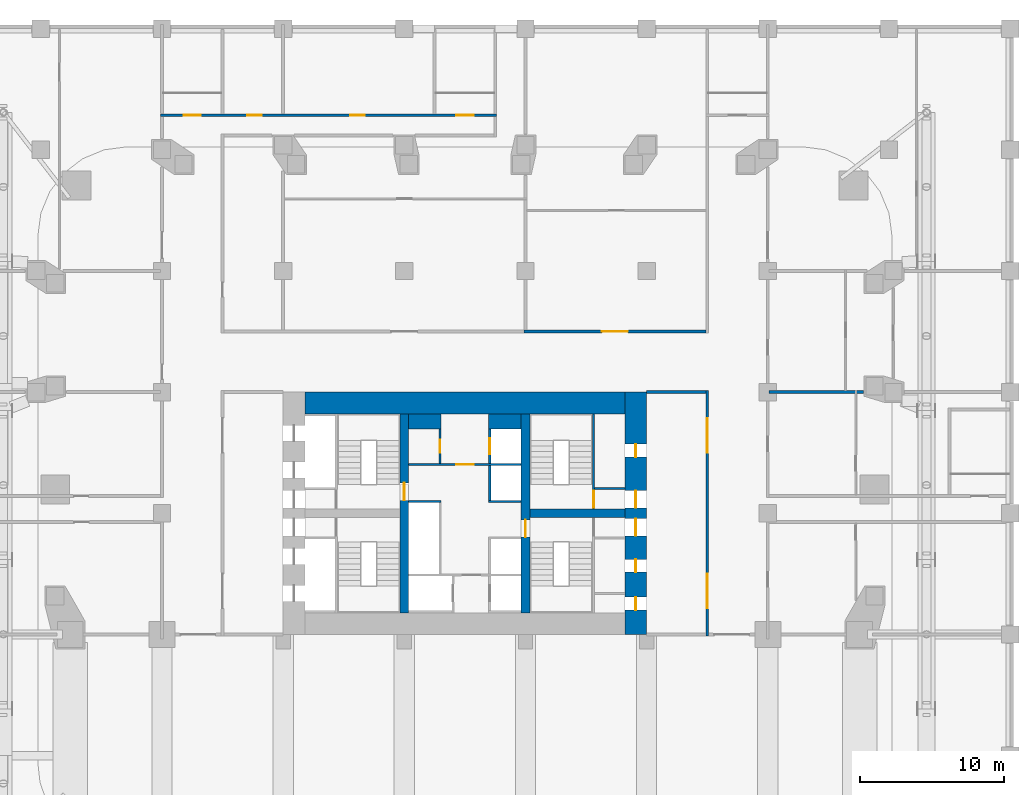
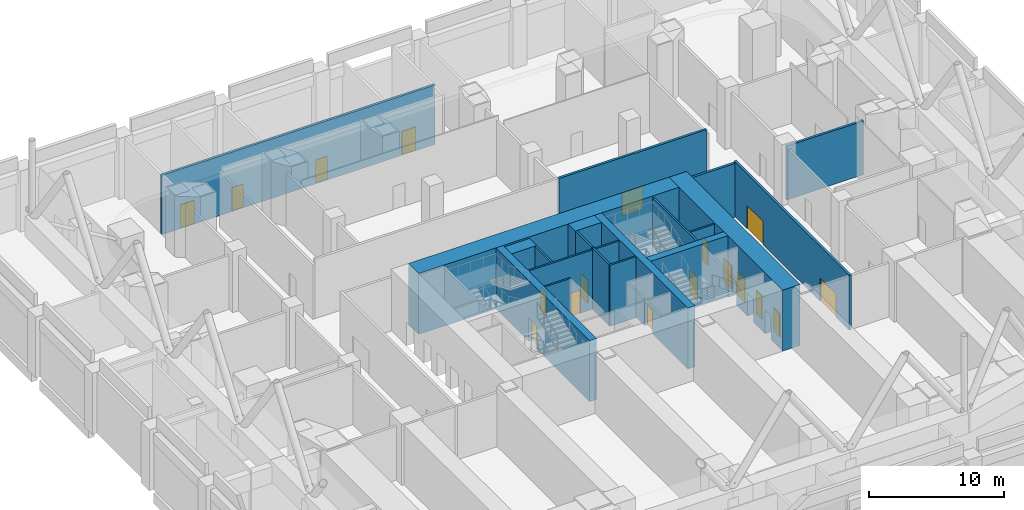
# One storey, part 10 of 17: 20 walls, 18 doors, 18 openings.
"""IFC4 building model written with IfcOpenShell, lengths in metres."""

from ifc_helpers import new_model, si_unit, direction, frame, frame_2d, origin, place, context, subcontext, project, spatial, rectangle, extrude, material, layer, layer_set, type_object, element, fill, save


model = new_model("IFC4")

# Units and contexts
model_context = context("Model", 3, precision=1e-05, world=origin(), true_north=direction((0.0, 1.0)))
body_context = subcontext(model_context, "Body", "Model", "MODEL_VIEW")
ifc_project = project(units=[si_unit("LENGTHUNIT", "METRE"), si_unit("AREAUNIT", "SQUARE_METRE"), si_unit("VOLUMEUNIT", "CUBIC_METRE"), si_unit("PLANEANGLEUNIT", "RADIAN"), si_unit("MASSUNIT", "GRAM", prefix="KILO")], contexts=[model_context])

# Site, building, storey
site_placement = place(None, origin())
site = spatial("IfcSite", under=ifc_project, at=site_placement, CompositionType="ELEMENT")
building_placement = place(site_placement, origin())
building = spatial("IfcBuilding", under=site, at=building_placement, Name="Marenta Gate Hotel Tower", CompositionType="ELEMENT")
storey_placement = place(building_placement, frame((0.0, 0.0, 31.0)))
storey = spatial("IfcBuildingStorey", under=building, at=storey_placement, Name="L05", CompositionType="ELEMENT", Elevation=31.0)

# Wall, openings, doors
ifc_material_1 = material(Name="Concrete blockwork", Category="masonry")
ifc_layer_1 = layer(ifc_material_1, 0.199951171875)
ifc_layer_set_1 = layer_set([ifc_layer_1], Name="Concrete blockwork")
wall_type_1 = type_object("IfcWallType", Name="Core boundary wall 200 REI 180", PredefinedType="PARTITIONING", material=ifc_layer_set_1)
wall_1_placement = place(storey_placement, frame((16.800048828125, -0.10009765625, 0.0), z_axis=(0.0, 0.0, 1.0), x_axis=(0.0, 1.0, 0.0)))
wall_1 = element("IfcWall", 1, at=wall_1_placement, inside=storey, type_object=wall_type_1, Name="L05-CP-BW-E", PredefinedType="PARTITIONING", context=body_context, shape_type="SweptSolid", body=[
    extrude(rectangle(XDim=17.0, YDim=0.199951171875, at=frame_2d((8.5, 0.0))), origin(), (0.0, 0.0, 1.0), 4.949951171875),
])
opening_1_placement = place(wall_1_placement, frame((1.89990234375, 0.0, 0.0)))
opening_1 = element("IfcOpeningElement", 2, at=opening_1_placement, cuts=wall_1, Name="Opening ED-Ea-A", PredefinedType="OPENING", context=body_context, shape_type="SweptSolid", body=[
    extrude(rectangle(XDim=2.39990234375, YDim=2.10009765625, at=frame_2d((1.199951171875, 1.050048828125))), frame((0.0, 0.10009765625, 0.0), z_axis=(0.0, -1.0, 0.0), x_axis=(1.0, 0.0, 0.0)), (0.0, 0.0, 1.0), 0.199951171875),
])
opening_2_placement = place(wall_1_placement, frame((12.699951171875, 0.0, 0.0)))
opening_2 = element("IfcOpeningElement", 3, at=opening_2_placement, cuts=wall_1, Name="Opening ED-Eb-A", PredefinedType="OPENING", context=body_context, shape_type="SweptSolid", body=[
    extrude(rectangle(XDim=2.39990234375, YDim=2.10009765625, at=frame_2d((1.199951171875, 1.050048828125))), frame((0.0, 0.10009765625, 0.0), z_axis=(0.0, -1.0, 0.0), x_axis=(1.0, 0.0, 0.0)), (0.0, 0.0, 1.0), 0.199951171875),
])
ifc_material_2 = material(Name="Steel", Category="steel")
door_type_1 = type_object("IfcDoorType", Name="Core lobby entrance door 2400x2100 EI 60", OperationType="DOUBLE_DOOR_SINGLE_SWING", PredefinedType="DOOR", material=ifc_material_2)
door_1_placement = place(opening_1_placement, origin())
door_1 = element("IfcDoor", 4, at=door_1_placement, inside=storey, type_object=door_type_1, Name="ED-Ea-A", OperationType="DOUBLE_DOOR_SINGLE_SWING", OverallHeight=2.10009765625, OverallWidth=2.39990234375, PredefinedType="DOOR", context=body_context, shape_type="SweptSolid", body=[
    extrude(rectangle(XDim=2.39990234375, YDim=2.10009765625, at=frame_2d((1.199951171875, 1.050048828125))), frame((0.0, 0.02490234375, 0.0), z_axis=(0.0, -1.0, 0.0), x_axis=(1.0, 0.0, 0.0)), (0.0, 0.0, 1.0), 0.050048828125),
])
fill(opening_1, door_1)
door_2_placement = place(opening_2_placement, origin())
door_2 = element("IfcDoor", 5, at=door_2_placement, inside=storey, type_object=door_type_1, Name="ED-Eb-A", OperationType="DOUBLE_DOOR_SINGLE_SWING", OverallHeight=2.10009765625, OverallWidth=2.39990234375, PredefinedType="DOOR", context=body_context, shape_type="SweptSolid", body=[
    extrude(rectangle(XDim=2.39990234375, YDim=2.10009765625, at=frame_2d((1.199951171875, 1.050048828125))), frame((0.0, 0.02490234375, 0.0), z_axis=(0.0, -1.0, 0.0), x_axis=(1.0, 0.0, 0.0)), (0.0, 0.0, 1.0), 0.050048828125),
])
fill(opening_2, door_2)

# Wall
wall_2_placement = place(storey_placement, frame((12.60009765625, 16.800048828125, 0.0), z_axis=(0.0, 0.0, 1.0), x_axis=(1.0, 0.0, 0.0)))
element("IfcWall", 6, at=wall_2_placement, inside=storey, type_object=wall_type_1, Name="L05-CP-EW-EN", PredefinedType="PARTITIONING", context=body_context, shape_type="SweptSolid", body=[
    extrude(rectangle(XDim=4.099853515625, YDim=0.199951171875, at=frame_2d((2.0498046875, 0.0))), origin(), (0.0, 0.0, 1.0), 4.85009765625),
])

# Wall, opening, door
ifc_material_3 = material(Name="Concrete blockwork", Category="masonry")
ifc_layer_2 = layer(ifc_material_3, 0.14990234375)
ifc_layer_set_2 = layer_set([ifc_layer_2], Name="Concrete blockwork")
wall_type_2 = type_object("IfcWallType", Name="Core lobby partition 150 REI 180", PredefinedType="PARTITIONING", material=ifc_layer_set_2)
wall_3_placement = place(storey_placement, frame((-3.89990234375, 11.77490234375, 0.0), z_axis=(0.0, 0.0, 1.0), x_axis=(1.0, 0.0, 0.0)))
wall_3 = element("IfcWall", 7, at=wall_3_placement, inside=storey, type_object=wall_type_2, Name="L05-CP-CW-N", PredefinedType="PARTITIONING", context=body_context, shape_type="SweptSolid", body=[
    extrude(rectangle(XDim=7.7998046875, YDim=0.14990234375, at=frame_2d((3.89990234375, 0.0))), origin(), (0.0, 0.0, 1.0), 5.35009765625),
])
opening_3_placement = place(wall_3_placement, frame((3.300048828125, 0.0, 0.0)))
opening_3 = element("IfcOpeningElement", 8, at=opening_3_placement, cuts=wall_3, Name="Opening FD-FFN", PredefinedType="OPENING", context=body_context, shape_type="SweptSolid", body=[
    extrude(rectangle(XDim=1.199951171875, YDim=2.10009765625, at=frame_2d((0.60009765625, 1.050048828125))), frame((0.0, 0.074951171875, 0.0), z_axis=(0.0, -1.0, 0.0), x_axis=(1.0, 0.0, 0.0)), (0.0, 0.0, 1.0), 0.14990234375),
])
ifc_material_4 = material(Name="Steel", Category="steel")
door_type_2 = type_object("IfcDoorType", Name="Core lobby door 1200x2100 FD60", OperationType="SINGLE_SWING_LEFT", PredefinedType="DOOR", material=ifc_material_4)
door_3_placement = place(opening_3_placement, origin())
door_3 = element("IfcDoor", 9, at=door_3_placement, inside=storey, type_object=door_type_2, Name="FD-FFN", OperationType="SINGLE_SWING_LEFT", OverallHeight=2.10009765625, OverallWidth=1.199951171875, PredefinedType="DOOR", context=body_context, shape_type="SweptSolid", body=[
    extrude(rectangle(XDim=1.199951171875, YDim=2.10009765625, at=frame_2d((0.60009765625, 1.050048828125))), frame((0.0, 0.02490234375, 0.0), z_axis=(0.0, -1.0, 0.0), x_axis=(1.0, 0.0, 0.0)), (0.0, 0.0, 1.0), 0.050048828125),
])
fill(opening_3, door_3)

# Walls
ifc_material_5 = material(Name="Concrete blockwork", Category="masonry")
ifc_layer_3 = layer(ifc_material_5, 1.050048828125)
ifc_layer_set_3 = layer_set([ifc_layer_3], Name="Concrete blockwork")
wall_type_3 = type_object("IfcWallType", Name="Core room partition 1050 REI 180", PredefinedType="PARTITIONING", material=ifc_layer_set_3)
wall_4_placement = place(storey_placement, frame((-3.89990234375, 14.77490234375, 0.0), z_axis=(0.0, 0.0, 1.0), x_axis=(1.0, 0.0, 0.0)))
element("IfcWall", 10, at=wall_4_placement, inside=storey, type_object=wall_type_3, Name="L05-CP-CW-W-riser-N", PredefinedType="PARTITIONING", context=body_context, shape_type="SweptSolid", body=[
    extrude(rectangle(XDim=2.25, YDim=1.050048828125, at=frame_2d((1.125, 0.0))), origin(), (0.0, 0.0, 1.0), 5.35009765625),
])
ifc_material_6 = material(Name="Concrete blockwork", Category="masonry")
ifc_layer_4 = layer(ifc_material_6, 0.14990234375)
ifc_layer_set_4 = layer_set([ifc_layer_4], Name="Concrete blockwork")
wall_type_4 = type_object("IfcWallType", Name="Core room partition 150 REI 180", PredefinedType="PARTITIONING", material=ifc_layer_set_4)
wall_5_placement = place(storey_placement, frame((9.0, 10.125, 0.0), z_axis=(0.0, 0.0, 1.0), x_axis=(1.0, 0.0, 0.0)))
element("IfcWall", 11, at=wall_5_placement, inside=storey, type_object=wall_type_4, Name="L05-CP-SW-EN-2", PredefinedType="PARTITIONING", context=body_context, shape_type="SweptSolid", body=[
    extrude(rectangle(XDim=2.10009765625, YDim=0.14990234375, at=frame_2d((1.050048828125, 0.0))), origin(), (0.0, 0.0, 1.0), 5.35009765625),
])

# Wall, opening, door
wall_6_placement = place(storey_placement, frame((-1.72509765625, 11.85009765625, 0.0), z_axis=(0.0, 0.0, 1.0), x_axis=(0.0, 1.0, 0.0)))
wall_6 = element("IfcWall", 12, at=wall_6_placement, inside=storey, type_object=wall_type_4, Name="L05-CP-CW-W-riser-front", PredefinedType="PARTITIONING", context=body_context, shape_type="SweptSolid", body=[
    extrude(rectangle(XDim=2.39990234375, YDim=0.14990234375, at=frame_2d((1.199951171875, 0.0))), origin(), (0.0, 0.0, 1.0), 5.35009765625),
])
opening_4_placement = place(wall_6_placement, frame((0.75, 0.0, 0.0)))
opening_4 = element("IfcOpeningElement", 13, at=opening_4_placement, cuts=wall_6, Name="Opening RD-CRISER", PredefinedType="OPENING", context=body_context, shape_type="SweptSolid", body=[
    extrude(rectangle(XDim=0.89990234375, YDim=2.10009765625, at=frame_2d((0.449951171875, 1.050048828125))), frame((0.0, 0.074951171875, 0.0), z_axis=(0.0, -1.0, 0.0), x_axis=(1.0, 0.0, 0.0)), (0.0, 0.0, 1.0), 0.14990234375),
])
ifc_material_7 = material(Name="Steel", Category="steel")
door_type_3 = type_object("IfcDoorType", Name="Core riser door 900x2100 FD60", OperationType="SINGLE_SWING_LEFT", PredefinedType="DOOR", material=ifc_material_7)
door_4_placement = place(opening_4_placement, origin())
door_4 = element("IfcDoor", 14, at=door_4_placement, inside=storey, type_object=door_type_3, Name="RD-CRISER", OperationType="SINGLE_SWING_LEFT", OverallHeight=2.10009765625, OverallWidth=0.89990234375, PredefinedType="DOOR", context=body_context, shape_type="SweptSolid", body=[
    extrude(rectangle(XDim=0.89990234375, YDim=2.10009765625, at=frame_2d((0.449951171875, 1.050048828125))), frame((0.0, 0.02490234375, 0.0), z_axis=(0.0, -1.0, 0.0), x_axis=(1.0, 0.0, 0.0)), (0.0, 0.0, 1.0), 0.050048828125),
])
fill(opening_4, door_4)

# Walls
ifc_material_8 = material(Name="Concrete C40", Category="concrete")
ifc_layer_5 = layer(ifc_material_8, 1.050048828125)
ifc_layer_set_5 = layer_set([ifc_layer_5], Name="Concrete C40")
wall_type_5 = type_object("IfcWallType", Name="Core shaft wall 1050 REI 180", PredefinedType="SHEAR", material=ifc_layer_set_5)
wall_7_placement = place(storey_placement, frame((1.64990234375, 14.77490234375, 0.0), z_axis=(0.0, 0.0, 1.0), x_axis=(1.0, 0.0, 0.0)))
element("IfcWall", 15, at=wall_7_placement, inside=storey, type_object=wall_type_5, Name="L05-SHF-CE-N-top", PredefinedType="SHEAR", context=body_context, shape_type="SweptSolid", body=[
    extrude(rectangle(XDim=2.25, YDim=1.050048828125, at=frame_2d((1.125, 0.0))), origin(), (0.0, 0.0, 1.0), 5.5),
])
ifc_material_9 = material(Name="Concrete C40", Category="concrete")
ifc_layer_6 = layer(ifc_material_9, 0.14990234375)
ifc_layer_set_6 = layer_set([ifc_layer_6], Name="Concrete C40")
wall_type_6 = type_object("IfcWallType", Name="Core shaft wall 150 REI 180", PredefinedType="SHEAR", material=ifc_layer_set_6)
wall_8_placement = place(storey_placement, frame((-3.89990234375, 9.22509765625, 0.0), z_axis=(0.0, 0.0, 1.0), x_axis=(1.0, 0.0, 0.0)))
element("IfcWall", 16, at=wall_8_placement, inside=storey, type_object=wall_type_6, Name="L05-SHF-CW-W-sep", PredefinedType="SHEAR", context=body_context, shape_type="SweptSolid", body=[
    extrude(rectangle(XDim=2.25, YDim=0.14990234375, at=frame_2d((1.125, 0.0))), origin(), (0.0, 0.0, 1.0), 5.5),
])

# Wall, opening, door
wall_9_placement = place(storey_placement, frame((1.72509765625, 11.85009765625, 0.0), z_axis=(0.0, 0.0, 1.0), x_axis=(0.0, 1.0, 0.0)))
wall_9 = element("IfcWall", 17, at=wall_9_placement, inside=storey, type_object=wall_type_6, Name="L05-SHF-CE-N-front2", PredefinedType="SHEAR", context=body_context, shape_type="SweptSolid", body=[
    extrude(rectangle(XDim=2.39990234375, YDim=0.14990234375, at=frame_2d((1.199951171875, 0.0))), origin(), (0.0, 0.0, 1.0), 5.5),
])
opening_5_placement = place(wall_9_placement, frame((0.64990234375, 0.0, 0.0)))
opening_5 = element("IfcOpeningElement", 18, at=opening_5_placement, cuts=wall_9, Name="Opening LD-FF2", PredefinedType="OPENING", context=body_context, shape_type="SweptSolid", body=[
    extrude(rectangle(XDim=1.10009765625, YDim=2.10009765625, at=frame_2d((0.550048828125, 1.050048828125))), frame((0.0, 0.074951171875, 0.0), z_axis=(0.0, -1.0, 0.0), x_axis=(1.0, 0.0, 0.0)), (0.0, 0.0, 1.0), 0.14990234375),
])
ifc_material_10 = material(Name="Steel", Category="steel")
door_type_4 = type_object("IfcDoorType", Name="Core lift landing door 1100x2100 E 60", OperationType="SLIDING_TO_LEFT", PredefinedType="DOOR", material=ifc_material_10)
door_5_placement = place(opening_5_placement, origin())
door_5 = element("IfcDoor", 19, at=door_5_placement, inside=storey, type_object=door_type_4, Name="LD-FF2", OperationType="SLIDING_TO_LEFT", OverallHeight=2.10009765625, OverallWidth=1.10009765625, PredefinedType="DOOR", context=body_context, shape_type="SweptSolid", body=[
    extrude(rectangle(XDim=1.10009765625, YDim=2.10009765625, at=frame_2d((0.550048828125, 1.050048828125))), frame((0.0, 0.02490234375, 0.0), z_axis=(0.0, -1.0, 0.0), x_axis=(1.0, 0.0, 0.0)), (0.0, 0.0, 1.0), 0.050048828125),
])
fill(opening_5, door_5)

# Walls
wall_10_placement = place(storey_placement, frame((1.64990234375, 9.22509765625, 0.0), z_axis=(0.0, 0.0, 1.0), x_axis=(1.0, 0.0, 0.0)))
element("IfcWall", 20, at=wall_10_placement, inside=storey, type_object=wall_type_6, Name="L05-SHF-CE-sep2", PredefinedType="SHEAR", context=body_context, shape_type="SweptSolid", body=[
    extrude(rectangle(XDim=2.25, YDim=0.14990234375, at=frame_2d((1.125, 0.0))), origin(), (0.0, 0.0, 1.0), 5.5),
])
wall_11_placement = place(storey_placement, frame((1.72509765625, 9.300048828125, 0.0), z_axis=(0.0, 0.0, 1.0), x_axis=(0.0, 1.0, 0.0)))
element("IfcWall", 21, at=wall_11_placement, inside=storey, type_object=wall_type_6, Name="L05-SHF-CE-front-2", PredefinedType="SHEAR", context=body_context, shape_type="SweptSolid", body=[
    extrude(rectangle(XDim=2.39990234375, YDim=0.14990234375, at=frame_2d((1.199951171875, 0.0))), origin(), (0.0, 0.0, 1.0), 5.5),
])

# Wall, opening, door
ifc_material_11 = material(Name="Concrete C40", Category="concrete")
ifc_layer_7 = layer(ifc_material_11, 0.14990234375)
ifc_layer_set_7 = layer_set([ifc_layer_7], Name="Concrete C40")
wall_type_7 = type_object("IfcWallType", Name="Core stair enclosure wall 150 REI 180", PredefinedType="SHEAR", material=ifc_layer_set_7)
wall_12_placement = place(storey_placement, frame((8.925048828125, 8.699951171875, 0.0), z_axis=(0.0, 0.0, 1.0), x_axis=(0.0, 1.0, 0.0)))
wall_12 = element("IfcWall", 22, at=wall_12_placement, inside=storey, type_object=wall_type_7, Name="L05-SHF-SW-EN-3", PredefinedType="SHEAR", context=body_context, shape_type="SweptSolid", body=[
    extrude(rectangle(XDim=6.60009765625, YDim=0.14990234375, at=frame_2d((3.300048828125, 0.0))), origin(), (0.0, 0.0, 1.0), 5.35009765625),
])
opening_6_placement = place(wall_12_placement, frame((0.074951171875, 0.0, 0.0)))
opening_6 = element("IfcOpeningElement", 23, at=opening_6_placement, cuts=wall_12, Name="Opening SD-EN", PredefinedType="OPENING", context=body_context, shape_type="SweptSolid", body=[
    extrude(rectangle(XDim=1.199951171875, YDim=2.10009765625, at=frame_2d((0.60009765625, 1.050048828125))), frame((0.0, 0.074951171875, 0.0), z_axis=(0.0, -1.0, 0.0), x_axis=(1.0, 0.0, 0.0)), (0.0, 0.0, 1.0), 0.14990234375),
])
ifc_material_12 = material(Name="Steel", Category="steel")
door_type_5 = type_object("IfcDoorType", Name="Core stair door 1200x2100 FD60", OperationType="SINGLE_SWING_LEFT", PredefinedType="DOOR", material=ifc_material_12)
door_6_placement = place(opening_6_placement, origin())
door_6 = element("IfcDoor", 24, at=door_6_placement, inside=storey, type_object=door_type_5, Name="SD-EN", OperationType="SINGLE_SWING_LEFT", OverallHeight=2.10009765625, OverallWidth=1.199951171875, PredefinedType="DOOR", context=body_context, shape_type="SweptSolid", body=[
    extrude(rectangle(XDim=1.199951171875, YDim=2.10009765625, at=frame_2d((0.60009765625, 1.050048828125))), frame((0.0, 0.02490234375, 0.0), z_axis=(0.0, -1.0, 0.0), x_axis=(1.0, 0.0, 0.0)), (0.0, 0.0, 1.0), 0.050048828125),
])
fill(opening_6, door_6)

# Wall, openings, doors
ifc_material_13 = material(Name="Concrete C80", Category="concrete")
ifc_layer_8 = layer(ifc_material_13, 1.5)
ifc_layer_set_8 = layer_set([ifc_layer_8], Name="Concrete C80")
wall_type_8 = type_object("IfcWallType", Name="Core wall 1500 C80", PredefinedType="SHEAR", material=ifc_layer_set_8)
wall_13_placement = place(storey_placement, frame((11.85009765625, 0.0, 0.0), z_axis=(0.0, 0.0, 1.0), x_axis=(0.0, 1.0, 0.0)))
wall_13 = element("IfcWall", 25, at=wall_13_placement, inside=storey, type_object=wall_type_8, Name="L05-CORE-E", PredefinedType="SHEAR", context=body_context, shape_type="SweptSolid", body=[
    extrude(rectangle(XDim=16.800048828125, YDim=1.5, at=frame_2d((8.39990234375, 0.0))), origin(), (0.0, 0.0, 1.0), 5.5),
])
opening_7_placement = place(wall_13_placement, frame((1.6875, 0.0, 0.0)))
opening_7 = element("IfcOpeningElement", 26, at=opening_7_placement, cuts=wall_13, Name="Opening RD-ES-1", PredefinedType="OPENING", context=body_context, shape_type="SweptSolid", body=[
    extrude(rectangle(XDim=0.89990234375, YDim=2.10009765625, at=frame_2d((0.449951171875, 1.050048828125))), frame((0.0, 0.75, 0.0), z_axis=(0.0, -1.0, 0.0), x_axis=(1.0, 0.0, 0.0)), (0.0, 0.0, 1.0), 1.5),
])
opening_8_placement = place(wall_13_placement, frame((4.3125, 0.0, 0.0)))
opening_8 = element("IfcOpeningElement", 27, at=opening_8_placement, cuts=wall_13, Name="Opening RD-ES-2", PredefinedType="OPENING", context=body_context, shape_type="SweptSolid", body=[
    extrude(rectangle(XDim=0.89990234375, YDim=2.10009765625, at=frame_2d((0.449951171875, 1.050048828125))), frame((0.0, 0.75, 0.0), z_axis=(0.0, -1.0, 0.0), x_axis=(1.0, 0.0, 0.0)), (0.0, 0.0, 1.0), 1.5),
])
opening_9_placement = place(wall_13_placement, frame((6.824951171875, 0.0, 0.0)))
opening_9 = element("IfcOpeningElement", 28, at=opening_9_placement, cuts=wall_13, Name="Opening PD-ES", PredefinedType="OPENING", context=body_context, shape_type="SweptSolid", body=[
    extrude(rectangle(XDim=1.199951171875, YDim=2.10009765625, at=frame_2d((0.60009765625, 1.050048828125))), frame((0.0, 0.75, 0.0), z_axis=(0.0, -1.0, 0.0), x_axis=(1.0, 0.0, 0.0)), (0.0, 0.0, 1.0), 1.5),
])
opening_10_placement = place(wall_13_placement, frame((12.300048828125, 0.0, 0.0)))
opening_10 = element("IfcOpeningElement", 29, at=opening_10_placement, cuts=wall_13, Name="Opening RD-EN-1", PredefinedType="OPENING", context=body_context, shape_type="SweptSolid", body=[
    extrude(rectangle(XDim=0.89990234375, YDim=2.10009765625, at=frame_2d((0.449951171875, 1.050048828125))), frame((0.0, 0.75, 0.0), z_axis=(0.0, -1.0, 0.0), x_axis=(1.0, 0.0, 0.0)), (0.0, 0.0, 1.0), 1.5),
])
opening_11_placement = place(wall_13_placement, frame((8.77490234375, 0.0, 0.0)))
opening_11 = element("IfcOpeningElement", 30, at=opening_11_placement, cuts=wall_13, Name="Opening PD-EN", PredefinedType="OPENING", context=body_context, shape_type="SweptSolid", body=[
    extrude(rectangle(XDim=1.199951171875, YDim=2.10009765625, at=frame_2d((0.60009765625, 1.050048828125))), frame((0.0, 0.75, 0.0), z_axis=(0.0, -1.0, 0.0), x_axis=(1.0, 0.0, 0.0)), (0.0, 0.0, 1.0), 1.5),
])
door_7_placement = place(opening_9_placement, origin())
door_7 = element("IfcDoor", 31, at=door_7_placement, inside=storey, type_object=door_type_2, Name="PD-ES", OperationType="SINGLE_SWING_LEFT", OverallHeight=2.10009765625, OverallWidth=1.199951171875, PredefinedType="DOOR", context=body_context, shape_type="SweptSolid", body=[
    extrude(rectangle(XDim=1.199951171875, YDim=2.10009765625, at=frame_2d((0.60009765625, 1.050048828125))), frame((0.0, 0.02490234375, 0.0), z_axis=(0.0, -1.0, 0.0), x_axis=(1.0, 0.0, 0.0)), (0.0, 0.0, 1.0), 0.050048828125),
])
fill(opening_9, door_7)
door_8_placement = place(opening_11_placement, origin())
door_8 = element("IfcDoor", 32, at=door_8_placement, inside=storey, type_object=door_type_2, Name="PD-EN", OperationType="SINGLE_SWING_LEFT", OverallHeight=2.10009765625, OverallWidth=1.199951171875, PredefinedType="DOOR", context=body_context, shape_type="SweptSolid", body=[
    extrude(rectangle(XDim=1.199951171875, YDim=2.10009765625, at=frame_2d((0.60009765625, 1.050048828125))), frame((0.0, 0.02490234375, 0.0), z_axis=(0.0, -1.0, 0.0), x_axis=(1.0, 0.0, 0.0)), (0.0, 0.0, 1.0), 0.050048828125),
])
fill(opening_11, door_8)
ifc_material_14 = material(Name="Steel", Category="steel")
door_type_6 = type_object("IfcDoorType", Name="Core service room door 900x2100 FD30S", OperationType="SINGLE_SWING_LEFT", PredefinedType="DOOR", material=ifc_material_14)
door_9_placement = place(opening_7_placement, origin())
door_9 = element("IfcDoor", 33, at=door_9_placement, inside=storey, type_object=door_type_6, Name="RD-ES-1", OperationType="SINGLE_SWING_LEFT", OverallHeight=2.10009765625, OverallWidth=0.89990234375, PredefinedType="DOOR", context=body_context, shape_type="SweptSolid", body=[
    extrude(rectangle(XDim=0.89990234375, YDim=2.10009765625, at=frame_2d((0.449951171875, 1.050048828125))), frame((0.0, 0.02490234375, 0.0), z_axis=(0.0, -1.0, 0.0), x_axis=(1.0, 0.0, 0.0)), (0.0, 0.0, 1.0), 0.050048828125),
])
fill(opening_7, door_9)
door_10_placement = place(opening_8_placement, origin())
door_10 = element("IfcDoor", 34, at=door_10_placement, inside=storey, type_object=door_type_6, Name="RD-ES-2", OperationType="SINGLE_SWING_LEFT", OverallHeight=2.10009765625, OverallWidth=0.89990234375, PredefinedType="DOOR", context=body_context, shape_type="SweptSolid", body=[
    extrude(rectangle(XDim=0.89990234375, YDim=2.10009765625, at=frame_2d((0.449951171875, 1.050048828125))), frame((0.0, 0.02490234375, 0.0), z_axis=(0.0, -1.0, 0.0), x_axis=(1.0, 0.0, 0.0)), (0.0, 0.0, 1.0), 0.050048828125),
])
fill(opening_8, door_10)
door_11_placement = place(opening_10_placement, origin())
door_11 = element("IfcDoor", 35, at=door_11_placement, inside=storey, type_object=door_type_6, Name="RD-EN-1", OperationType="SINGLE_SWING_LEFT", OverallHeight=2.10009765625, OverallWidth=0.89990234375, PredefinedType="DOOR", context=body_context, shape_type="SweptSolid", body=[
    extrude(rectangle(XDim=0.89990234375, YDim=2.10009765625, at=frame_2d((0.449951171875, 1.050048828125))), frame((0.0, 0.02490234375, 0.0), z_axis=(0.0, -1.0, 0.0), x_axis=(1.0, 0.0, 0.0)), (0.0, 0.0, 1.0), 0.050048828125),
])
fill(opening_10, door_11)

# Wall
wall_14_placement = place(storey_placement, frame((-11.10009765625, 16.050048828125, 0.0), z_axis=(0.0, 0.0, 1.0), x_axis=(1.0, 0.0, 0.0)))
element("IfcWall", 36, at=wall_14_placement, inside=storey, type_object=wall_type_8, Name="L05-CORE-N", PredefinedType="SHEAR", context=body_context, shape_type="SweptSolid", body=[
    extrude(rectangle(XDim=22.2001953125, YDim=1.5, at=frame_2d((11.10009765625, 0.0))), origin(), (0.0, 0.0, 1.0), 5.5),
])

# Wall, opening, door
ifc_material_15 = material(Name="Concrete C80", Category="concrete")
ifc_layer_9 = layer(ifc_material_15, 0.60009765625)
ifc_layer_set_9 = layer_set([ifc_layer_9], Name="Concrete C80")
wall_type_9 = type_object("IfcWallType", Name="Core web 600 C80", PredefinedType="SHEAR", material=ifc_layer_set_9)
wall_15_placement = place(storey_placement, frame((-4.199951171875, 1.5, 0.0), z_axis=(0.0, 0.0, 1.0), x_axis=(0.0, 1.0, 0.0)))
wall_15 = element("IfcWall", 37, at=wall_15_placement, inside=storey, type_object=wall_type_9, Name="L05-CORE-W1", PredefinedType="SHEAR", context=body_context, shape_type="SweptSolid", body=[
    extrude(rectangle(XDim=13.800048828125, YDim=0.60009765625, at=frame_2d((6.89990234375, 0.0))), origin(), (0.0, 0.0, 1.0), 5.5),
])
opening_12_placement = place(wall_15_placement, frame((7.800048828125, 0.0, 0.0)))
opening_12 = element("IfcOpeningElement", 38, at=opening_12_placement, cuts=wall_15, Name="Opening WD-W", PredefinedType="OPENING", context=body_context, shape_type="SweptSolid", body=[
    extrude(rectangle(XDim=1.199951171875, YDim=2.10009765625, at=frame_2d((0.60009765625, 1.050048828125))), frame((0.0, 0.300048828125, 0.0), z_axis=(0.0, -1.0, 0.0), x_axis=(1.0, 0.0, 0.0)), (0.0, 0.0, 1.0), 0.60009765625),
])
door_12_placement = place(opening_12_placement, origin())
door_12 = element("IfcDoor", 39, at=door_12_placement, inside=storey, type_object=door_type_5, Name="WD-W", OperationType="SINGLE_SWING_LEFT", OverallHeight=2.10009765625, OverallWidth=1.199951171875, PredefinedType="DOOR", context=body_context, shape_type="SweptSolid", body=[
    extrude(rectangle(XDim=1.199951171875, YDim=2.10009765625, at=frame_2d((0.60009765625, 1.050048828125))), frame((0.0, 0.02490234375, 0.0), z_axis=(0.0, -1.0, 0.0), x_axis=(1.0, 0.0, 0.0)), (0.0, 0.0, 1.0), 0.050048828125),
])
fill(opening_12, door_12)

wall_16_placement = place(storey_placement, frame((4.199951171875, 1.5, 0.0), z_axis=(0.0, 0.0, 1.0), x_axis=(0.0, 1.0, 0.0)))
wall_16 = element("IfcWall", 40, at=wall_16_placement, inside=storey, type_object=wall_type_9, Name="L05-CORE-W2", PredefinedType="SHEAR", context=body_context, shape_type="SweptSolid", body=[
    extrude(rectangle(XDim=13.800048828125, YDim=0.60009765625, at=frame_2d((6.89990234375, 0.0))), origin(), (0.0, 0.0, 1.0), 5.5),
])
opening_13_placement = place(wall_16_placement, frame((5.25, 0.0, 0.0)))
opening_13 = element("IfcOpeningElement", 41, at=opening_13_placement, cuts=wall_16, Name="Opening WD-E", PredefinedType="OPENING", context=body_context, shape_type="SweptSolid", body=[
    extrude(rectangle(XDim=1.199951171875, YDim=2.10009765625, at=frame_2d((0.60009765625, 1.050048828125))), frame((0.0, 0.300048828125, 0.0), z_axis=(0.0, -1.0, 0.0), x_axis=(1.0, 0.0, 0.0)), (0.0, 0.0, 1.0), 0.60009765625),
])
door_13_placement = place(opening_13_placement, origin())
door_13 = element("IfcDoor", 42, at=door_13_placement, inside=storey, type_object=door_type_5, Name="WD-E", OperationType="SINGLE_SWING_LEFT", OverallHeight=2.10009765625, OverallWidth=1.199951171875, PredefinedType="DOOR", context=body_context, shape_type="SweptSolid", body=[
    extrude(rectangle(XDim=1.199951171875, YDim=2.10009765625, at=frame_2d((0.60009765625, 1.050048828125))), frame((0.0, 0.02490234375, 0.0), z_axis=(0.0, -1.0, 0.0), x_axis=(1.0, 0.0, 0.0)), (0.0, 0.0, 1.0), 0.050048828125),
])
fill(opening_13, door_13)

# Wall
wall_17_placement = place(storey_placement, frame((4.5, 8.39990234375, 0.0), z_axis=(0.0, 0.0, 1.0), x_axis=(1.0, 0.0, 0.0)))
element("IfcWall", 43, at=wall_17_placement, inside=storey, type_object=wall_type_9, Name="L05-CORE-W4", PredefinedType="SHEAR", context=body_context, shape_type="SweptSolid", body=[
    extrude(rectangle(XDim=6.60009765625, YDim=0.60009765625, at=frame_2d((3.300048828125, 0.0))), origin(), (0.0, 0.0, 1.0), 5.5),
])

# Wall, opening, door
ifc_material_16 = material(Name="Concrete blockwork", Category="masonry")
ifc_layer_10 = layer(ifc_material_16, 0.199951171875)
ifc_layer_set_10 = layer_set([ifc_layer_10], Name="Concrete blockwork")
wall_type_10 = type_object("IfcWallType", Name="Room corridor wall 200 REI 180", PredefinedType="PARTITIONING", material=ifc_layer_set_10)
wall_18_placement = place(storey_placement, frame((4.10009765625, 21.0, 0.0), z_axis=(0.0, 0.0, 1.0), x_axis=(1.0, 0.0, 0.0)))
wall_18 = element("IfcWall", 44, at=wall_18_placement, inside=storey, type_object=wall_type_10, Name="L05-PTN-W052", PredefinedType="PARTITIONING", context=body_context, shape_type="SweptSolid", body=[
    extrude(rectangle(XDim=12.599853515625, YDim=0.199951171875, at=frame_2d((6.2998046875, 0.0))), origin(), (0.0, 0.0, 1.0), 5.35009765625),
])
opening_14_placement = place(wall_18_placement, frame((5.39990234375, 0.0, 0.0)))
opening_14 = element("IfcOpeningElement", 45, at=opening_14_placement, cuts=wall_18, Name="Opening S06-23", PredefinedType="OPENING", context=body_context, shape_type="SweptSolid", body=[
    extrude(rectangle(XDim=1.800048828125, YDim=2.10009765625, at=frame_2d((0.89990234375, 1.050048828125))), frame((0.0, 0.10009765625, 0.0), z_axis=(0.0, -1.0, 0.0), x_axis=(1.0, 0.0, 0.0)), (0.0, 0.0, 1.0), 0.199951171875),
])
ifc_material_17 = material(Name="Hollow steel door set", Category="steel")
door_type_7 = type_object("IfcDoorType", Name="Plant room door 1800x2100 EI 60", OperationType="DOUBLE_DOOR_SINGLE_SWING", PredefinedType="DOOR", material=ifc_material_17)
door_14_placement = place(opening_14_placement, origin())
door_14 = element("IfcDoor", 46, at=door_14_placement, inside=storey, type_object=door_type_7, Name="L05-PD-D023", OperationType="DOUBLE_DOOR_SINGLE_SWING", OverallHeight=2.10009765625, OverallWidth=1.800048828125, PredefinedType="DOOR", context=body_context, shape_type="SweptSolid", body=[
    extrude(rectangle(XDim=1.800048828125, YDim=2.10009765625, at=frame_2d((0.89990234375, 1.050048828125))), frame((0.0, 0.02490234375, 0.0), z_axis=(0.0, -1.0, 0.0), x_axis=(1.0, 0.0, 0.0)), (0.0, 0.0, 1.0), 0.050048828125),
])
fill(opening_14, door_14)

# Wall, openings, doors
wall_19_placement = place(storey_placement, frame((-21.10009765625, 36.0, 0.0), z_axis=(0.0, 0.0, 1.0), x_axis=(1.0, 0.0, 0.0)))
wall_19 = element("IfcWall", 47, at=wall_19_placement, inside=storey, type_object=wall_type_10, Name="L05-PTN-W069", PredefinedType="PARTITIONING", context=body_context, shape_type="SweptSolid", body=[
    extrude(rectangle(XDim=23.300048828125, YDim=0.199951171875, at=frame_2d((11.64990234375, 0.0))), origin(), (0.0, 0.0, 1.0), 5.35009765625),
])
opening_15_placement = place(wall_19_placement, frame((1.60009765625, 0.0, 0.0)))
opening_15 = element("IfcOpeningElement", 48, at=opening_15_placement, cuts=wall_19, Name="Opening S06-01", PredefinedType="OPENING", context=body_context, shape_type="SweptSolid", body=[
    extrude(rectangle(XDim=1.199951171875, YDim=2.10009765625, at=frame_2d((0.60009765625, 1.050048828125))), frame((0.0, 0.10009765625, 0.0), z_axis=(0.0, -1.0, 0.0), x_axis=(1.0, 0.0, 0.0)), (0.0, 0.0, 1.0), 0.199951171875),
])
opening_16_placement = place(wall_19_placement, frame((6.0, 0.0, 0.0)))
opening_16 = element("IfcOpeningElement", 49, at=opening_16_placement, cuts=wall_19, Name="Opening S06-19", PredefinedType="OPENING", context=body_context, shape_type="SweptSolid", body=[
    extrude(rectangle(XDim=1.0, YDim=2.10009765625, at=frame_2d((0.5, 1.050048828125))), frame((0.0, 0.10009765625, 0.0), z_axis=(0.0, -1.0, 0.0), x_axis=(1.0, 0.0, 0.0)), (0.0, 0.0, 1.0), 0.199951171875),
])
opening_17_placement = place(wall_19_placement, frame((13.14990234375, 0.0, 0.0)))
opening_17 = element("IfcOpeningElement", 50, at=opening_17_placement, cuts=wall_19, Name="Opening S06-21", PredefinedType="OPENING", context=body_context, shape_type="SweptSolid", body=[
    extrude(rectangle(XDim=1.0, YDim=2.10009765625, at=frame_2d((0.5, 1.050048828125))), frame((0.0, 0.10009765625, 0.0), z_axis=(0.0, -1.0, 0.0), x_axis=(1.0, 0.0, 0.0)), (0.0, 0.0, 1.0), 0.199951171875),
])
opening_18_placement = place(wall_19_placement, frame((20.5, 0.0, 0.0)))
opening_18 = element("IfcOpeningElement", 51, at=opening_18_placement, cuts=wall_19, Name="Opening S06-38", PredefinedType="OPENING", context=body_context, shape_type="SweptSolid", body=[
    extrude(rectangle(XDim=1.199951171875, YDim=2.10009765625, at=frame_2d((0.60009765625, 1.050048828125))), frame((0.0, 0.10009765625, 0.0), z_axis=(0.0, -1.0, 0.0), x_axis=(1.0, 0.0, 0.0)), (0.0, 0.0, 1.0), 0.199951171875),
])
ifc_material_18 = material(Name="Hollow steel door set", Category="steel")
door_type_8 = type_object("IfcDoorType", Name="Plant room door 1000x2100 EI 60", OperationType="NOTDEFINED", PredefinedType="DOOR", material=ifc_material_18)
door_15_placement = place(opening_16_placement, origin())
door_15 = element("IfcDoor", 52, at=door_15_placement, inside=storey, type_object=door_type_8, Name="L05-PD-D019", OperationType="SINGLE_SWING_LEFT", OverallHeight=2.10009765625, OverallWidth=1.0, PredefinedType="DOOR", context=body_context, shape_type="SweptSolid", body=[
    extrude(rectangle(XDim=1.0, YDim=2.10009765625, at=frame_2d((0.5, 1.050048828125))), frame((0.0, 0.02490234375, 0.0), z_axis=(0.0, -1.0, 0.0), x_axis=(1.0, 0.0, 0.0)), (0.0, 0.0, 1.0), 0.050048828125),
])
fill(opening_16, door_15)
ifc_material_19 = material(Name="Hollow steel door set", Category="steel")
door_type_9 = type_object("IfcDoorType", Name="Podium stair door 1200x2100 EI 60", OperationType="NOTDEFINED", PredefinedType="DOOR", material=ifc_material_19)
door_16_placement = place(opening_15_placement, origin())
door_16 = element("IfcDoor", 53, at=door_16_placement, inside=storey, type_object=door_type_9, Name="L05-PD-D001", OperationType="SINGLE_SWING_RIGHT", OverallHeight=2.10009765625, OverallWidth=1.199951171875, PredefinedType="DOOR", context=body_context, shape_type="SweptSolid", body=[
    extrude(rectangle(XDim=1.199951171875, YDim=2.10009765625, at=frame_2d((0.60009765625, 1.050048828125))), frame((0.0, 0.02490234375, 0.0), z_axis=(0.0, -1.0, 0.0), x_axis=(1.0, 0.0, 0.0)), (0.0, 0.0, 1.0), 0.050048828125),
])
fill(opening_15, door_16)
door_17_placement = place(opening_18_placement, origin())
door_17 = element("IfcDoor", 54, at=door_17_placement, inside=storey, type_object=door_type_9, Name="L05-PD-D038", OperationType="SINGLE_SWING_RIGHT", OverallHeight=2.10009765625, OverallWidth=1.199951171875, PredefinedType="DOOR", context=body_context, shape_type="SweptSolid", body=[
    extrude(rectangle(XDim=1.199951171875, YDim=2.10009765625, at=frame_2d((0.60009765625, 1.050048828125))), frame((0.0, 0.02490234375, 0.0), z_axis=(0.0, -1.0, 0.0), x_axis=(1.0, 0.0, 0.0)), (0.0, 0.0, 1.0), 0.050048828125),
])
fill(opening_18, door_17)
ifc_material_20 = material(Name="Timber door leaf", Category="wood")
door_type_10 = type_object("IfcDoorType", Name="Room inner door 1000x2100 EI 60", OperationType="NOTDEFINED", PredefinedType="DOOR", material=ifc_material_20)
door_18_placement = place(opening_17_placement, origin())
door_18 = element("IfcDoor", 55, at=door_18_placement, inside=storey, type_object=door_type_10, Name="L05-PD-D021", OperationType="SINGLE_SWING_RIGHT", OverallHeight=2.10009765625, OverallWidth=1.0, PredefinedType="DOOR", context=body_context, shape_type="SweptSolid", body=[
    extrude(rectangle(XDim=1.0, YDim=2.10009765625, at=frame_2d((0.5, 1.050048828125))), frame((0.0, 0.02490234375, 0.0), z_axis=(0.0, -1.0, 0.0), x_axis=(1.0, 0.0, 0.0)), (0.0, 0.0, 1.0), 0.050048828125),
])
fill(opening_17, door_18)

# Wall
ifc_material_21 = material(Name="Concrete blockwork", Category="masonry")
ifc_layer_11 = layer(ifc_material_21, 0.199951171875)
ifc_layer_set_11 = layer_set([ifc_layer_11], Name="Concrete blockwork")
wall_type_11 = type_object("IfcWallType", Name="Room party wall 200 EI 120", PredefinedType="PARTITIONING", material=ifc_layer_set_11)
wall_20_placement = place(storey_placement, frame((21.10009765625, 16.800048828125, 0.0), z_axis=(0.0, 0.0, 1.0), x_axis=(1.0, 0.0, 0.0)))
element("IfcWall", 56, at=wall_20_placement, inside=storey, type_object=wall_type_11, Name="L05-PTN-W045", PredefinedType="PARTITIONING", context=body_context, shape_type="SweptSolid", body=[
    extrude(rectangle(XDim=6.52978515625, YDim=0.199951171875, at=frame_2d((3.264892578125, 0.0))), origin(), (0.0, 0.0, 1.0), 4.85009765625),
])

save(model, "model.ifc")
